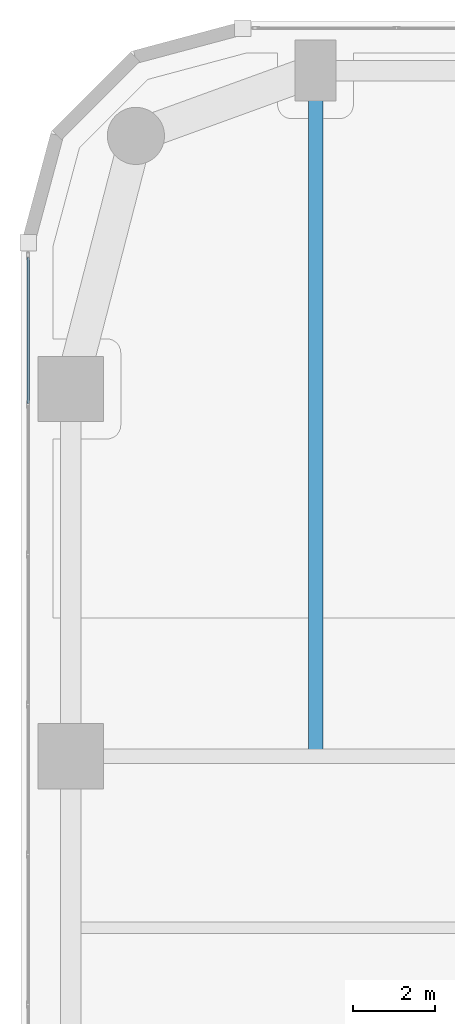
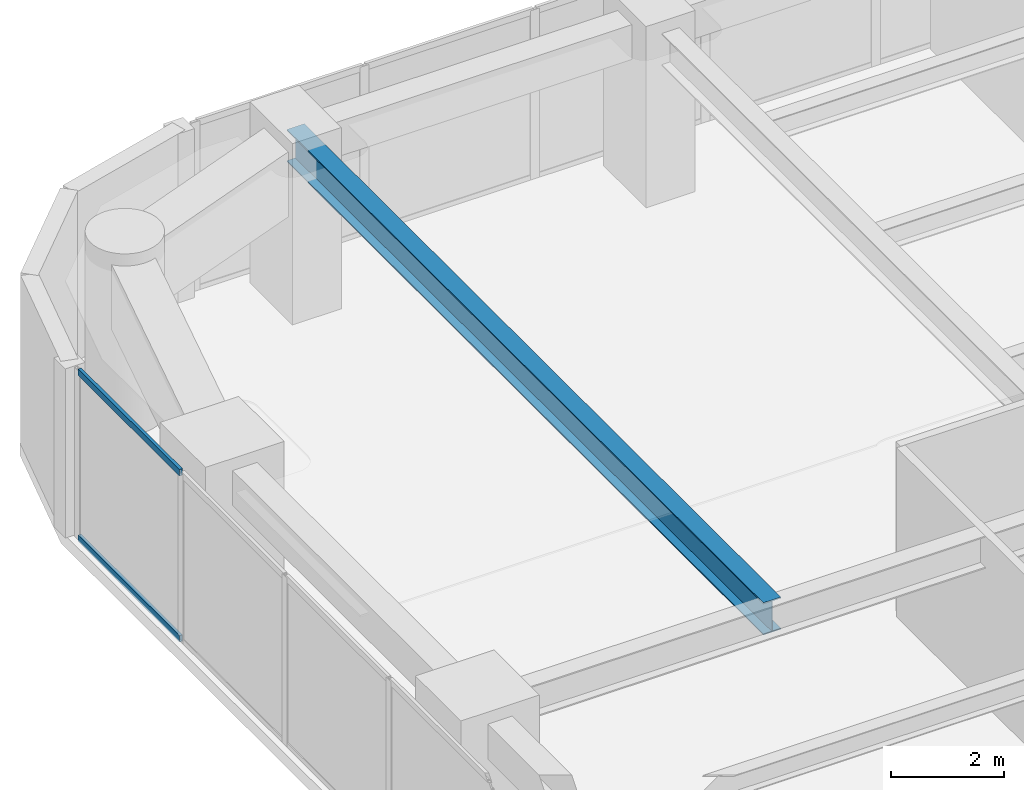
# One storey, part 13 of 28: 2 members, 1 beam, 1 element without a shape of its own.
"""IFC4 building model written with IfcOpenShell, lengths in metres."""

from ifc_helpers import new_model, si_unit, direction, frame, origin, origin_2d, place, context, subcontext, project, spatial, hollow_rectangle, i_section, extrude, material, layer, layer_set, material_profile, profile_set, type_object, element, aggregate, save


model = new_model("IFC4")

# Units and contexts
model_context = context("Model", 3, precision=1e-05, world=origin(), true_north=direction((0.0, 1.0)))
body_context = subcontext(model_context, "Body", "Model", "MODEL_VIEW")
ifc_project = project(units=[si_unit("LENGTHUNIT", "METRE"), si_unit("AREAUNIT", "SQUARE_METRE"), si_unit("VOLUMEUNIT", "CUBIC_METRE"), si_unit("PLANEANGLEUNIT", "RADIAN"), si_unit("MASSUNIT", "GRAM", prefix="KILO")], contexts=[model_context])

# Site, building, storey
site_placement = place(None, origin())
site = spatial("IfcSite", under=ifc_project, at=site_placement, CompositionType="ELEMENT")
building_placement = place(site_placement, origin())
building = spatial("IfcBuilding", under=site, at=building_placement, Name="Kiyonajd Concourse Tower", CompositionType="ELEMENT")
storey_placement = place(building_placement, frame((0.0, 0.0, 56.699951171875)))
storey = spatial("IfcBuildingStorey", under=building, at=storey_placement, Name="L15", CompositionType="ELEMENT", Elevation=56.699951171875)

# Beam
ifc_material_1 = material(Name="Steel ASTM A992 Grade 50", Category="steel")
ifc_material_profile_1 = material_profile(ifc_material_1, i_section(OverallWidth=0.35498046875, OverallDepth=0.695068359375, WebThickness=0.015380859375, FlangeThickness=0.02490234375, at=origin_2d()), Name="W690X217")
ifc_profile_set_1 = profile_set([ifc_material_profile_1], Name="Steel ASTM A992 Grade 50")
beam_type = type_object("IfcBeamType", Name="BM-TWR-690", PredefinedType="BEAM", material=ifc_profile_set_1)
beam_placement = place(storey_placement, frame((25.199951171875, 44.39990234375, 3.29248046875), z_axis=(0.0, 1.0, 0.0), x_axis=(-1.0, 0.0, 0.0)))
element("IfcBeam", 1, at=beam_placement, inside=storey, type_object=beam_type, Name="L15 North Lease Girder", PredefinedType="BEAM", context=body_context, shape_type="SweptSolid", body=[
    extrude(i_section(OverallWidth=0.35498046875, OverallDepth=0.695068359375, WebThickness=0.015380859375, FlangeThickness=0.02490234375, at=origin_2d()), origin(), (0.0, 0.0, 1.0), 16.800048828125),
])

# Curtain wall, members
ifc_material_2 = material(Name="Thermally Broken Anodised Aluminium", Category="aluminium")
ifc_layer = layer(ifc_material_2, 0.179931640625)
ifc_layer_set = layer_set([ifc_layer], Name="Thermally Broken Anodised Aluminium")
curtain_wall_type = type_object("IfcCurtainWallType", Name="CW-SYS-02", PredefinedType="NOTDEFINED", material=ifc_layer_set)
curtain_wall_placement = place(storey_placement, origin())
curtain_wall = element("IfcCurtainWall", 2, at=curtain_wall_placement, inside=storey, type_object=curtain_wall_type, Name="L15 Unitised Curtain Wall CW2", PredefinedType="NOTDEFINED")
ifc_material_profile_2 = material_profile(ifc_material_2, hollow_rectangle(XDim=0.06494140625, YDim=0.139892578125, WallThickness=0.00390625, at=origin_2d()), Name="TRAN-65x140")
ifc_profile_set_2 = profile_set([ifc_material_profile_2], Name="Thermally Broken Anodised Aluminium")
member_type = type_object("IfcMemberType", Name="MB-CW-TRAN1", PredefinedType="USERDEFINED", material=ifc_profile_set_2)
member_1_placement = place(storey_placement, frame((18.159912109375, 53.04833984375, 0.032470703125), z_axis=(0.0, 1.0, 0.0), x_axis=(-1.0, 0.0, 0.0)))
member_1 = element("IfcMember", 3, at=member_1_placement, type_object=member_type, Name="CW2 transom 6.1", ObjectType="TRANSOM", PredefinedType="USERDEFINED", context=body_context, shape_type="SweptSolid", body=[
    extrude(hollow_rectangle(XDim=0.06494140625, YDim=0.139892578125, WallThickness=0.00390625, at=origin_2d()), origin(), (0.0, 0.0, 1.0), 3.575439453125),
])
member_2_placement = place(storey_placement, frame((18.159912109375, 53.04833984375, 3.607666015625), z_axis=(0.0, 1.0, 0.0), x_axis=(-1.0, 0.0, 0.0)))
member_2 = element("IfcMember", 4, at=member_2_placement, type_object=member_type, Name="CW2 transom 6.2", ObjectType="TRANSOM", PredefinedType="USERDEFINED", context=body_context, shape_type="SweptSolid", body=[
    extrude(hollow_rectangle(XDim=0.06494140625, YDim=0.139892578125, WallThickness=0.00390625, at=origin_2d()), origin(), (0.0, 0.0, 1.0), 3.575439453125),
])
aggregate(curtain_wall, [member_1, member_2])

save(model, "model.ifc")
